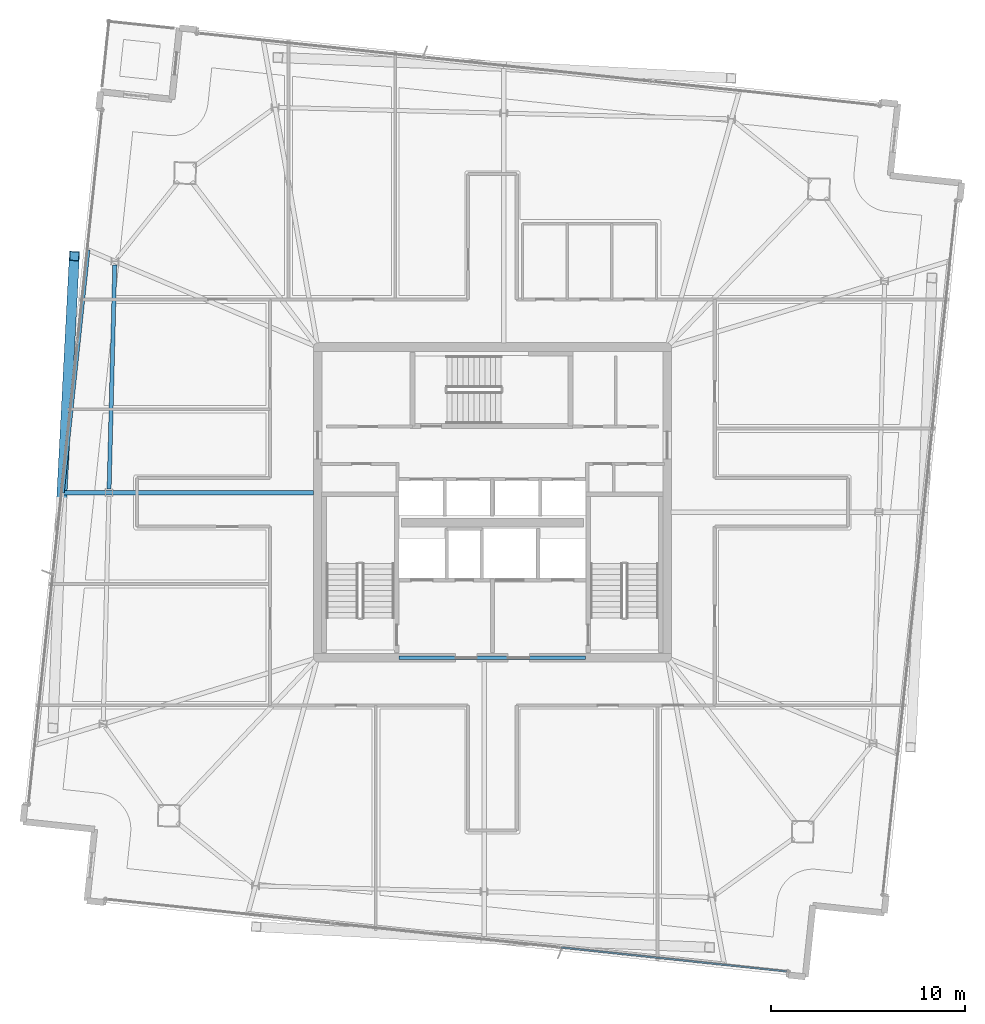
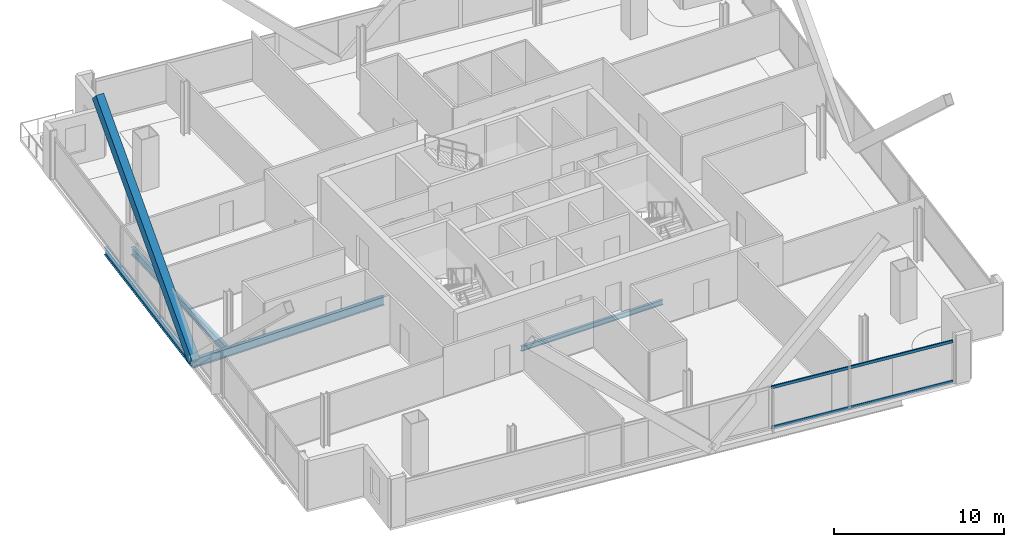
# One storey, part 6 of 24: 4 beams, 3 members, 1 element without a shape of its own.
"""IFC4 building model written with IfcOpenShell, lengths in metres."""

from ifc_helpers import new_model, si_unit, direction, frame, origin, origin_2d, place, context, subcontext, project, spatial, hollow_rectangle, i_section, extrude, material, material_profile, profile_set, type_object, element, aggregate, save


model = new_model("IFC4")

# Units and contexts
model_context = context("Model", 3, precision=1e-05, world=origin(), true_north=direction((0.0, 1.0)))
body_context = subcontext(model_context, "Body", "Model", "MODEL_VIEW")
ifc_project = project(units=[si_unit("LENGTHUNIT", "METRE"), si_unit("AREAUNIT", "SQUARE_METRE"), si_unit("VOLUMEUNIT", "CUBIC_METRE"), si_unit("PLANEANGLEUNIT", "RADIAN"), si_unit("MASSUNIT", "GRAM", prefix="KILO")], contexts=[model_context])

# Site, building, storey
site_placement = place(None, origin())
site = spatial("IfcSite", under=ifc_project, at=site_placement, CompositionType="ELEMENT")
building_placement = place(site_placement, origin())
building = spatial("IfcBuilding", under=site, at=building_placement, Name="Haldenkirk Collegiate Tower", CompositionType="ELEMENT")
storey_placement = place(building_placement, frame((0.0, 0.0, 310.199951171875)))
storey = spatial("IfcBuildingStorey", under=building, at=storey_placement, Name="L78", CompositionType="ELEMENT", Elevation=310.199951171875)

# Beams
ifc_material_1 = material(Name="Steel ASTM A992 Grade 50", Category="steel")
ifc_material_profile_1 = material_profile(ifc_material_1, i_section(OverallWidth=0.22998046875, OverallDepth=0.616943359375, WebThickness=0.01318359375, FlangeThickness=0.022216796875, at=origin_2d()), Name="W24X94")
ifc_profile_set_1 = profile_set([ifc_material_profile_1], Name="Steel ASTM A992 Grade 50")
beam_type_1 = type_object("IfcBeamType", Name="BM-GIRDER-W24X94", PredefinedType="BEAM", material=ifc_profile_set_1)
beam_1_placement = place(storey_placement, frame((13.849365234375, 26.499755859375, -0.568359375), z_axis=(1.0, 0.0, 0.0), x_axis=(0.0, 1.0, 0.0)))
element("IfcBeam", 1, at=beam_1_placement, inside=storey, type_object=beam_type_1, Name="L78 primary floor girder 12", PredefinedType="BEAM", context=body_context, shape_type="SweptSolid", body=[
    extrude(i_section(OverallWidth=0.22998046875, OverallDepth=0.616943359375, WebThickness=0.01318359375, FlangeThickness=0.022216796875, at=origin_2d()), origin(), (0.0, 0.0, 1.0), 12.945556640625),
])
ifc_material_profile_2 = material_profile(ifc_material_1, i_section(OverallWidth=0.1708984375, OverallDepth=0.35595703125, WebThickness=0.007080078125, FlangeThickness=0.01171875, at=origin_2d()), Name="W14X34")
ifc_profile_set_2 = profile_set([ifc_material_profile_2], Name="Steel ASTM A992 Grade 50")
beam_type_2 = type_object("IfcBeamType", Name="BM-LINTEL-W14X34", PredefinedType="LINTEL", material=ifc_profile_set_2)
beam_2_placement = place(storey_placement, frame((31.199951171875, 18.0, -0.43798828125), z_axis=(1.0, 0.0, 0.0), x_axis=(0.0, 1.0, 0.0)))
element("IfcBeam", 2, at=beam_2_placement, inside=storey, type_object=beam_type_2, Name="L78 south core coupling lintel", PredefinedType="LINTEL", context=body_context, shape_type="SweptSolid", body=[
    extrude(i_section(OverallWidth=0.1708984375, OverallDepth=0.35595703125, WebThickness=0.007080078125, FlangeThickness=0.01171875, at=origin_2d()), origin(), (0.0, 0.0, 1.0), 9.60009765625),
])
ifc_material_profile_3 = material_profile(ifc_material_1, i_section(OverallWidth=0.2099609375, OverallDepth=0.537109375, WebThickness=0.010986328125, FlangeThickness=0.017333984375, at=origin_2d()), Name="W21X68")
ifc_profile_set_3 = profile_set([ifc_material_profile_3], Name="Steel ASTM A992 Grade 50")
beam_type_3 = type_object("IfcBeamType", Name="BM-SPANDREL-W21X68", PredefinedType="SPANDREL", material=ifc_profile_set_3)
beam_3_placement = place(storey_placement, frame((16.552978515625, 38.22412109375, -0.528564453125), z_axis=(-0.025302458902, -0.999679841536, 0.0), x_axis=(0.999679841536, -0.025302458902, 0.0)))
element("IfcBeam", 3, at=beam_3_placement, inside=storey, type_object=beam_type_3, Name="L78 perimeter spandrel beam 10", PredefinedType="SPANDREL", context=body_context, shape_type="SweptSolid", body=[
    extrude(i_section(OverallWidth=0.2099609375, OverallDepth=0.537109375, WebThickness=0.010986328125, FlangeThickness=0.017333984375, at=origin_2d()), origin(), (0.0, 0.0, 1.0), 11.5400390625),
])
beam_4_placement = place(storey_placement, frame((15.173828125, 38.99658203125, -0.528564453125), z_axis=(-0.105393671912, -0.994430577728, 0.0), x_axis=(0.994430577728, -0.105393671912, 0.0)))
element("IfcBeam", 4, at=beam_4_placement, inside=storey, type_object=beam_type_3, Name="L78 outer facade edge beam 3A", PredefinedType="SPANDREL", context=body_context, shape_type="SweptSolid", body=[
    extrude(i_section(OverallWidth=0.2099609375, OverallDepth=0.537109375, WebThickness=0.010986328125, FlangeThickness=0.017333984375, at=origin_2d()), origin(), (0.0, 0.0, 1.0), 12.56689453125),
])

# Curtain wall, members
ifc_material_2 = material(Name="Anodised architectural bronze aluminium", Category="aluminium")
curtain_wall_type = type_object("IfcCurtainWallType", Name="CW-SYS1B-CONVEX-HI", PredefinedType="USERDEFINED", material=ifc_material_2)
curtain_wall_placement = place(storey_placement, origin())
curtain_wall = element("IfcCurtainWall", 5, at=curtain_wall_placement, inside=storey, type_object=curtain_wall_type, Name="L78 Upper tower high-wind convex bronze unitised curtain wall", ObjectType="UNITISED CURTAIN WALL", PredefinedType="USERDEFINED")
ifc_material_profile_4 = material_profile(ifc_material_2, hollow_rectangle(XDim=0.0849609375, YDim=0.199951171875, WallThickness=0.0048828125, at=origin_2d()), Name="CW-TRN-1B")
ifc_profile_set_4 = profile_set([ifc_material_profile_4], Name="Anodised architectural bronze aluminium")
member_type_1 = type_object("IfcMemberType", Name="CW-TRN-1B", PredefinedType="USERDEFINED", material=ifc_profile_set_4)
member_1_placement = place(storey_placement, frame((51.15380859375, 1.848388671875, 0.04248046875), z_axis=(-0.994430359613, 0.105395729894, 0.0), x_axis=(-0.105395729894, -0.994430359613, 0.0)))
member_1 = element("IfcMember", 6, at=member_1_placement, type_object=member_type_1, Name="CW-1B transom 1.1", ObjectType="TRANSOM", PredefinedType="USERDEFINED", context=body_context, shape_type="SweptSolid", body=[
    extrude(hollow_rectangle(XDim=0.0849609375, YDim=0.199951171875, WallThickness=0.0048828125, at=origin_2d()), origin(), (0.0, 0.0, 1.0), 11.67236328125),
])
member_2_placement = place(storey_placement, frame((51.15380859375, 1.848388671875, 2.905517578125), z_axis=(-0.994430359613, 0.105395729894, 0.0), x_axis=(-0.105395729894, -0.994430359613, 0.0)))
member_2 = element("IfcMember", 7, at=member_2_placement, type_object=member_type_1, Name="CW-1B transom 1.2", ObjectType="TRANSOM", PredefinedType="USERDEFINED", context=body_context, shape_type="SweptSolid", body=[
    extrude(hollow_rectangle(XDim=0.0849609375, YDim=0.199951171875, WallThickness=0.0048828125, at=origin_2d()), origin(), (0.0, 0.0, 1.0), 11.67236328125),
])
aggregate(curtain_wall, [member_1, member_2])

# Member
ifc_material_3 = material(Name="Steel ASTM A572 Grade 50", Category="steel")
ifc_material_profile_5 = material_profile(ifc_material_3, hollow_rectangle(XDim=0.52001953125, YDim=0.719970703125, WallThickness=0.035888671875, at=origin_2d()), Name="BOX720X520X36")
ifc_profile_set_5 = profile_set([ifc_material_profile_5], Name="Steel ASTM A572 Grade 50")
member_type_2 = type_object("IfcMemberType", Name="MBR-MEGABRACE-BOX720X520X36", PredefinedType="BRACE", material=ifc_profile_set_5)
member_3_placement = place(storey_placement, frame((13.8232421875, 26.254150390625, -0.27001953125), z_axis=(0.038740055825, 0.740805334983, 0.670601717665), x_axis=(-0.998635439968, 0.052223156161, 0.0)))
element("IfcMember", 8, at=member_3_placement, inside=storey, type_object=member_type_2, Name="Perimeter Mega Brace Z6 L78-L80 NL", PredefinedType="BRACE", context=body_context, shape_type="SweptSolid", body=[
    extrude(hollow_rectangle(XDim=0.52001953125, YDim=0.719970703125, WallThickness=0.035888671875, at=origin_2d()), origin(), (0.0, 0.0, 1.0), 16.77587890625),
])

save(model, "model.ifc")
